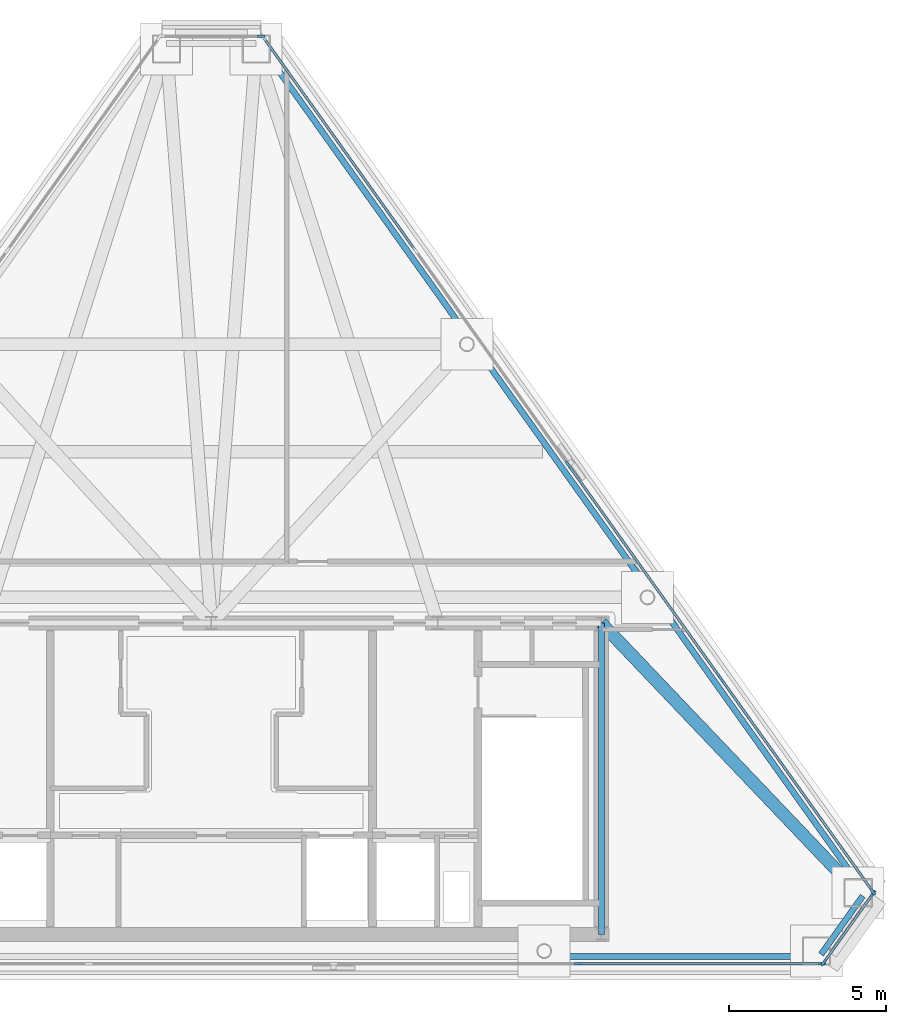
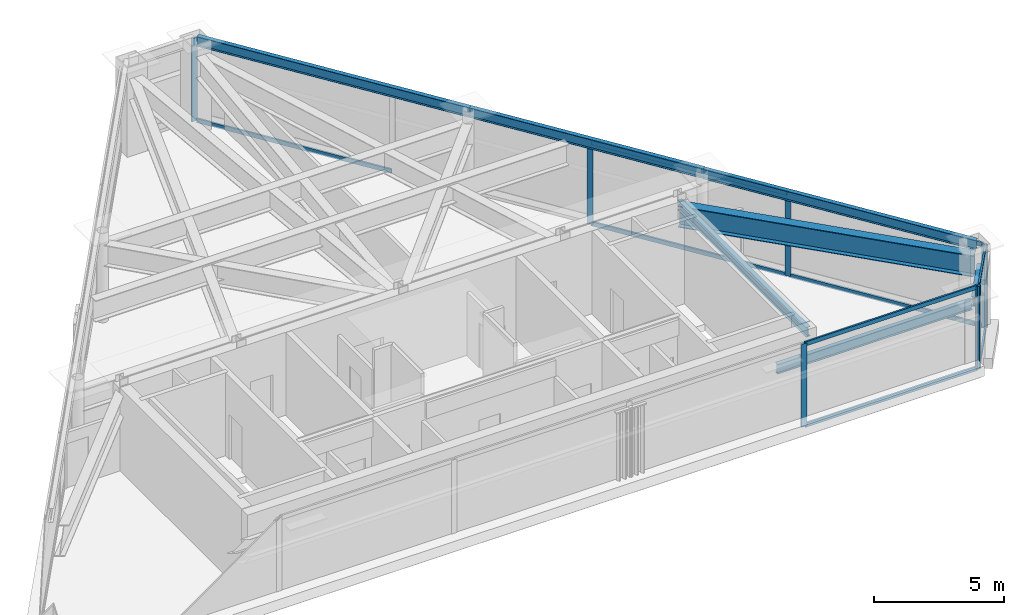
# One storey, part 3 of 7: 18 members, 7 beams, 4 elements without a shape of their own.
"""IFC4 building model written with IfcOpenShell, lengths in metres."""

from ifc_helpers import new_model, si_unit, direction, frame, origin, origin_2d, place, context, subcontext, project, spatial, rectangle, i_section, extrude, material, layer, layer_set, material_profile, profile_set, type_object, element, aggregate, save


model = new_model("IFC4")

# Units and contexts
model_context = context("Model", 3, precision=1e-05, world=origin(), true_north=direction((0.0, 1.0)))
body_context = subcontext(model_context, "Body", "Model", "MODEL_VIEW")
ifc_project = project(units=[si_unit("LENGTHUNIT", "METRE"), si_unit("AREAUNIT", "SQUARE_METRE"), si_unit("VOLUMEUNIT", "CUBIC_METRE"), si_unit("PLANEANGLEUNIT", "RADIAN"), si_unit("MASSUNIT", "GRAM", prefix="KILO")], contexts=[model_context])

# Site, building, storey
site_placement = place(None, origin())
site = spatial("IfcSite", under=ifc_project, at=site_placement, CompositionType="ELEMENT")
building_placement = place(site_placement, origin())
building = spatial("IfcBuilding", under=site, at=building_placement, Name="Talgorran Terracotta Tower", CompositionType="ELEMENT")
storey_placement = place(building_placement, frame((0.0, 0.0, 306.0)))
storey = spatial("IfcBuildingStorey", under=building, at=storey_placement, Name="L80", CompositionType="ELEMENT", Elevation=306.0)

# Beams
ifc_material_1 = material(Name="Steel Grade 350 (350L0)", Category="steel")
ifc_material_profile_1 = material_profile(ifc_material_1, i_section(OverallWidth=0.39990234375, OverallDepth=1.0, WebThickness=0.01611328125, FlangeThickness=0.031005859375, at=origin_2d()), Name="1000WB296")
ifc_profile_set_1 = profile_set([ifc_material_profile_1], Name="Steel Grade 350 (350L0)")
beam_type_1 = type_object("IfcBeamType", Name="BM_1000WB296", PredefinedType="BEAM", material=ifc_profile_set_1)
beam_1_placement = place(storey_placement, frame((12.39990234375, -4.199951171875, 3.14990234375), z_axis=(0.689671131697, -0.724122731382, 0.0), x_axis=(0.724122731382, 0.689671131697, 0.0)))
element("IfcBeam", 1, at=beam_1_placement, inside=storey, type_object=beam_type_1, Name="L80 Observation/Crown Girder OG7", PredefinedType="BEAM", context=body_context, shape_type="SweptSolid", body=[
    extrude(i_section(OverallWidth=0.39990234375, OverallDepth=1.0, WebThickness=0.01611328125, FlangeThickness=0.031005859375, at=origin_2d()), origin(), (0.0, 0.0, 1.0), 11.841552734375),
])
ifc_material_2 = material(Name="Steel S355 (300PLUS)", Category="steel")
ifc_material_profile_2 = material_profile(ifc_material_2, i_section(OverallWidth=0.18994140625, OverallDepth=0.45703125, WebThickness=0.009033203125, FlangeThickness=0.014404296875, at=origin_2d()), Name="460UB74.6")
ifc_profile_set_2 = profile_set([ifc_material_profile_2], Name="Steel S355 (300PLUS)")
beam_type_2 = type_object("IfcBeamType", Name="BM_SP_460UB74", PredefinedType="SPANDREL", material=ifc_profile_set_2)
beam_2_placement = place(storey_placement, frame((10.58349609375, -14.81005859375, 2.96826171875), z_axis=(1.0, 0.0, 0.0), x_axis=(0.0, 1.0, 0.0)))
element("IfcBeam", 2, at=beam_2_placement, inside=storey, type_object=beam_type_2, Name="L80 Perimeter Spandrel Beam FC2-MC3", PredefinedType="SPANDREL", context=body_context, shape_type="SweptSolid", body=[
    extrude(i_section(OverallWidth=0.18994140625, OverallDepth=0.45703125, WebThickness=0.009033203125, FlangeThickness=0.014404296875, at=origin_2d()), origin(), (0.0, 0.0, 1.0), 8.659423828125),
])
beam_3_placement = place(storey_placement, frame((19.389404296875, -14.734619140625, 2.96826171875), z_axis=(0.580772007805, 0.814066259557, 0.0), x_axis=(-0.814066259557, 0.580772007805, 0.0)))
element("IfcBeam", 3, at=beam_3_placement, inside=storey, type_object=beam_type_2, Name="L80 Perimeter Spandrel Beam MC3-MC4", PredefinedType="SPANDREL", context=body_context, shape_type="SweptSolid", body=[
    extrude(i_section(OverallWidth=0.18994140625, OverallDepth=0.45703125, WebThickness=0.009033203125, FlangeThickness=0.014404296875, at=origin_2d()), origin(), (0.0, 0.0, 1.0), 2.279296875),
])
beam_4_placement = place(storey_placement, frame((20.713134765625, -12.670166015625, 3.95458984375), z_axis=(-0.580753577836, 0.81407940757, 0.0), x_axis=(-0.81407940757, -0.580753577836, 0.0)))
element("IfcBeam", 4, at=beam_4_placement, inside=storey, type_object=beam_type_2, Name="L80 Perimeter Spandrel Beam MC4-FC3", PredefinedType="SPANDREL", context=body_context, shape_type="SweptSolid", body=[
    extrude(i_section(OverallWidth=0.18994140625, OverallDepth=0.45703125, WebThickness=0.009033203125, FlangeThickness=0.014404296875, at=origin_2d()), origin(), (0.0, 0.0, 1.0), 11.534912109375),
])
beam_5_placement = place(storey_placement, frame((14.01416015625, -3.27978515625, 3.971435546875), z_axis=(-0.58076625008, 0.814070367209, 0.0), x_axis=(-0.814070367209, -0.58076625008, 0.0)))
element("IfcBeam", 5, at=beam_5_placement, inside=storey, type_object=beam_type_2, Name="L80 Perimeter Spandrel Beam FC3-FC4", PredefinedType="SPANDREL", context=body_context, shape_type="SweptSolid", body=[
    extrude(i_section(OverallWidth=0.18994140625, OverallDepth=0.45703125, WebThickness=0.009033203125, FlangeThickness=0.014404296875, at=origin_2d()), origin(), (0.0, 0.0, 1.0), 9.88671875),
])
beam_6_placement = place(storey_placement, frame((8.272216796875, 4.768798828125, 3.971435546875), z_axis=(-0.580753577836, 0.81407940757, 0.0), x_axis=(-0.81407940757, -0.580753577836, 0.0)))
element("IfcBeam", 6, at=beam_6_placement, inside=storey, type_object=beam_type_2, Name="L80 Perimeter Spandrel Beam FC4-MC5", PredefinedType="SPANDREL", context=body_context, shape_type="SweptSolid", body=[
    extrude(i_section(OverallWidth=0.18994140625, OverallDepth=0.45703125, WebThickness=0.009033203125, FlangeThickness=0.014404296875, at=origin_2d()), origin(), (0.0, 0.0, 1.0), 11.534912109375),
])
beam_7_placement = place(storey_placement, frame((12.39990234375, -14.10009765625, 3.611572265625), z_axis=(0.0, 1.0, 0.0), x_axis=(-1.0, 0.0, 0.0)))
element("IfcBeam", 7, at=beam_7_placement, inside=storey, type_object=beam_type_2, Name="L80 Core Frame Beam CFE", PredefinedType="SPANDREL", context=body_context, shape_type="SweptSolid", body=[
    extrude(i_section(OverallWidth=0.18994140625, OverallDepth=0.45703125, WebThickness=0.009033203125, FlangeThickness=0.014404296875, at=origin_2d()), origin(), (0.0, 0.0, 1.0), 9.900146484375),
])

# Curtain wall, members
ifc_material_3 = material(Name="Faceted Crown Terracotta Glass", Category="masonry")
ifc_layer = layer(ifc_material_3, 0.22998046875, Name="CW_SYS6_CROWN")
ifc_layer_set = layer_set([ifc_layer], Name="Faceted Crown Terracotta Glass")
curtain_wall_type = type_object("IfcCurtainWallType", Name="CW_SYS6_CROWN", PredefinedType="NOTDEFINED", material=ifc_layer_set)
curtain_wall_1_placement = place(storey_placement, origin())
curtain_wall_1 = element("IfcCurtainWall", 8, at=curtain_wall_1_placement, inside=storey, type_object=curtain_wall_type, Name="CW-L80-F1", PredefinedType="NOTDEFINED")
ifc_material_4 = material(Name="Architectural Aluminium 6063-T6", Category="aluminium")
ifc_material_profile_3 = material_profile(ifc_material_4, rectangle(XDim=0.080078125, YDim=0.239990234375, at=origin_2d()), Name="CWM80X240")
ifc_profile_set_3 = profile_set([ifc_material_profile_3], Name="Architectural Aluminium 6063-T6")
member_type_1 = type_object("IfcMemberType", Name="MUL_80X240", PredefinedType="MULLION", material=ifc_profile_set_3)
member_1_placement = place(storey_placement, frame((11.66943359375, -15.030029296875, 0.0), z_axis=(0.0, 0.0, 1.0), x_axis=(0.0, 1.0, 0.0)))
member_1 = element("IfcMember", 9, at=member_1_placement, type_object=member_type_1, Name="CW-L80-1 mullion 5", PredefinedType="MULLION", context=body_context, shape_type="SweptSolid", body=[
    extrude(rectangle(XDim=0.080078125, YDim=0.239990234375, at=origin_2d()), origin(), (0.0, 0.0, 1.0), 3.89990234375),
])
member_2_placement = place(storey_placement, frame((19.408935546875, -15.030029296875, 0.0), z_axis=(0.0, 0.0, 1.0), x_axis=(0.0, 1.0, 0.0)))
member_2 = element("IfcMember", 10, at=member_2_placement, type_object=member_type_1, Name="CW-L80-1 mullion 6", PredefinedType="MULLION", context=body_context, shape_type="SweptSolid", body=[
    extrude(rectangle(XDim=0.080078125, YDim=0.239990234375, at=origin_2d()), origin(), (0.0, 0.0, 1.0), 3.89990234375),
])

curtain_wall_2_placement = place(storey_placement, origin())
curtain_wall_2 = element("IfcCurtainWall", 11, at=curtain_wall_2_placement, inside=storey, type_object=curtain_wall_type, Name="CW-L80-F2", PredefinedType="NOTDEFINED")
member_3_placement = place(storey_placement, frame((19.47216796875, -14.99755859375, 0.0), z_axis=(0.0, 0.0, 1.0), x_axis=(-0.814074765018, 0.580760085543, 0.0)))
member_3 = element("IfcMember", 12, at=member_3_placement, type_object=member_type_1, Name="CW-L80-2 mullion 1", PredefinedType="MULLION", context=body_context, shape_type="SweptSolid", body=[
    extrude(rectangle(XDim=0.080078125, YDim=0.239990234375, at=origin_2d()), origin(), (0.0, 0.0, 1.0), 3.89990234375),
])
member_4_placement = place(storey_placement, frame((21.03466796875, -12.80712890625, 0.0), z_axis=(0.0, 0.0, 1.0), x_axis=(-0.814074765018, 0.580760085543, 0.0)))
member_4 = element("IfcMember", 13, at=member_4_placement, type_object=member_type_1, Name="CW-L80-2 mullion 2", PredefinedType="MULLION", context=body_context, shape_type="SweptSolid", body=[
    extrude(rectangle(XDim=0.080078125, YDim=0.239990234375, at=origin_2d()), origin(), (0.0, 0.0, 1.0), 3.89990234375),
])

curtain_wall_3_placement = place(storey_placement, origin())
curtain_wall_3 = element("IfcCurtainWall", 14, at=curtain_wall_3_placement, inside=storey, type_object=curtain_wall_type, Name="CW-L80-F3", PredefinedType="NOTDEFINED")
member_5_placement = place(storey_placement, frame((21.03466796875, -12.741943359375, 0.0), z_axis=(0.0, 0.0, 1.0), x_axis=(-0.814075935218, -0.580758445224, 0.0)))
member_5 = element("IfcMember", 15, at=member_5_placement, type_object=member_type_1, Name="CW-L80-3 mullion 1", PredefinedType="MULLION", context=body_context, shape_type="SweptSolid", body=[
    extrude(rectangle(XDim=0.080078125, YDim=0.239990234375, at=origin_2d()), origin(), (0.0, 0.0, 1.0), 3.89990234375),
])
member_6_placement = place(storey_placement, frame((16.20166015625, -5.96728515625, 0.0), z_axis=(0.0, 0.0, 1.0), x_axis=(-0.814075935218, -0.580758445224, 0.0)))
member_6 = element("IfcMember", 16, at=member_6_placement, type_object=member_type_1, Name="CW-L80-3 mullion 2", PredefinedType="MULLION", context=body_context, shape_type="SweptSolid", body=[
    extrude(rectangle(XDim=0.080078125, YDim=0.239990234375, at=origin_2d()), origin(), (0.0, 0.0, 1.0), 3.89990234375),
])
member_7_placement = place(storey_placement, frame((11.345458984375, 0.840087890625, 0.0), z_axis=(0.0, 0.0, 1.0), x_axis=(-0.814075935218, -0.580758445224, 0.0)))
member_7 = element("IfcMember", 17, at=member_7_placement, type_object=member_type_1, Name="CW-L80-3 mullion 3", PredefinedType="MULLION", context=body_context, shape_type="SweptSolid", body=[
    extrude(rectangle(XDim=0.080078125, YDim=0.239990234375, at=origin_2d()), origin(), (0.0, 0.0, 1.0), 3.89990234375),
])

# Curtain wall, member
curtain_wall_4_placement = place(storey_placement, origin())
curtain_wall_4 = element("IfcCurtainWall", 18, at=curtain_wall_4_placement, inside=storey, type_object=curtain_wall_type, Name="CW-L80-F4", PredefinedType="NOTDEFINED")
member_8_placement = place(storey_placement, frame((1.5927734375, 14.45458984375, 0.0), z_axis=(0.0, 0.0, 1.0), x_axis=(0.0, -1.0, 0.0)))
member_8 = element("IfcMember", 19, at=member_8_placement, type_object=member_type_1, Name="CW-L80-4 mullion 1", PredefinedType="MULLION", context=body_context, shape_type="SweptSolid", body=[
    extrude(rectangle(XDim=0.080078125, YDim=0.239990234375, at=origin_2d()), origin(), (0.0, 0.0, 1.0), 3.89990234375),
])
aggregate(curtain_wall_4, [member_8])

# Member
ifc_material_profile_4 = material_profile(ifc_material_4, rectangle(XDim=0.080078125, YDim=0.195068359375, at=origin_2d()), Name="CWT80X195")
ifc_profile_set_4 = profile_set([ifc_material_profile_4], Name="Architectural Aluminium 6063-T6")
member_type_2 = type_object("IfcMemberType", Name="TRN_80X195", PredefinedType="USERDEFINED", material=ifc_profile_set_4)
member_9_placement = place(storey_placement, frame((11.70947265625, -15.030029296875, 0.0400390625), z_axis=(1.0, 0.0, 0.0), x_axis=(0.0, 1.0, 0.0)))
member_9 = element("IfcMember", 20, at=member_9_placement, type_object=member_type_2, Name="CW-L80-1 transom 5.1", ObjectType="TRANSOM", PredefinedType="USERDEFINED", context=body_context, shape_type="SweptSolid", body=[
    extrude(rectangle(XDim=0.080078125, YDim=0.195068359375, at=origin_2d()), origin(), (0.0, 0.0, 1.0), 7.659423828125),
])

member_10_placement = place(storey_placement, frame((11.70947265625, -15.030029296875, 3.860107421875), z_axis=(1.0, 0.0, 0.0), x_axis=(0.0, 1.0, 0.0)))
member_10 = element("IfcMember", 21, at=member_10_placement, type_object=member_type_2, Name="CW-L80-1 transom 5.2", ObjectType="TRANSOM", PredefinedType="USERDEFINED", context=body_context, shape_type="SweptSolid", body=[
    extrude(rectangle(XDim=0.080078125, YDim=0.195068359375, at=origin_2d()), origin(), (0.0, 0.0, 1.0), 7.659423828125),
])

aggregate(curtain_wall_1, [member_1, member_2, member_9, member_10])

member_11_placement = place(storey_placement, frame((19.495361328125, -14.96484375, 0.0400390625), z_axis=(0.580795755672, 0.814049316807, 0.0), x_axis=(-0.814049316807, 0.580795755672, 0.0)))
member_11 = element("IfcMember", 22, at=member_11_placement, type_object=member_type_2, Name="CW-L80-2 transom 1.1", ObjectType="TRANSOM", PredefinedType="USERDEFINED", context=body_context, shape_type="SweptSolid", body=[
    extrude(rectangle(XDim=0.080078125, YDim=0.195068359375, at=origin_2d()), origin(), (0.0, 0.0, 1.0), 2.6103515625),
])

member_12_placement = place(storey_placement, frame((19.495361328125, -14.96484375, 3.860107421875), z_axis=(0.580795755672, 0.814049316807, 0.0), x_axis=(-0.814049316807, 0.580795755672, 0.0)))
member_12 = element("IfcMember", 23, at=member_12_placement, type_object=member_type_2, Name="CW-L80-2 transom 1.2", ObjectType="TRANSOM", PredefinedType="USERDEFINED", context=body_context, shape_type="SweptSolid", body=[
    extrude(rectangle(XDim=0.080078125, YDim=0.195068359375, at=origin_2d()), origin(), (0.0, 0.0, 1.0), 2.6103515625),
])

aggregate(curtain_wall_2, [member_3, member_4, member_11, member_12])

member_13_placement = place(storey_placement, frame((21.011474609375, -12.70947265625, 0.0400390625), z_axis=(-0.580753343572, 0.814079574691, 0.0), x_axis=(-0.814079574691, -0.580753343572, 0.0)))
member_13 = element("IfcMember", 24, at=member_13_placement, type_object=member_type_2, Name="CW-L80-3 transom 1.1", ObjectType="TRANSOM", PredefinedType="USERDEFINED", context=body_context, shape_type="SweptSolid", body=[
    extrude(rectangle(XDim=0.080078125, YDim=0.195068359375, at=origin_2d()), origin(), (0.0, 0.0, 1.0), 8.2421875),
])

member_14_placement = place(storey_placement, frame((21.011474609375, -12.70947265625, 3.860107421875), z_axis=(-0.580753343572, 0.814079574691, 0.0), x_axis=(-0.814079574691, -0.580753343572, 0.0)))
member_14 = element("IfcMember", 25, at=member_14_placement, type_object=member_type_2, Name="CW-L80-3 transom 1.2", ObjectType="TRANSOM", PredefinedType="USERDEFINED", context=body_context, shape_type="SweptSolid", body=[
    extrude(rectangle(XDim=0.080078125, YDim=0.195068359375, at=origin_2d()), origin(), (0.0, 0.0, 1.0), 8.2421875),
])

member_15_placement = place(storey_placement, frame((16.178466796875, -5.934814453125, 0.0400390625), z_axis=(-0.580755680117, 0.814077907827, 0.0), x_axis=(-0.814077907827, -0.580755680117, 0.0)))
member_15 = element("IfcMember", 26, at=member_15_placement, type_object=member_type_2, Name="CW-L80-3 transom 2.1", ObjectType="TRANSOM", PredefinedType="USERDEFINED", context=body_context, shape_type="SweptSolid", body=[
    extrude(rectangle(XDim=0.080078125, YDim=0.195068359375, at=origin_2d()), origin(), (0.0, 0.0, 1.0), 8.281982421875),
])

member_16_placement = place(storey_placement, frame((16.178466796875, -5.934814453125, 3.860107421875), z_axis=(-0.580755680117, 0.814077907827, 0.0), x_axis=(-0.814077907827, -0.580755680117, 0.0)))
member_16 = element("IfcMember", 27, at=member_16_placement, type_object=member_type_2, Name="CW-L80-3 transom 2.2", ObjectType="TRANSOM", PredefinedType="USERDEFINED", context=body_context, shape_type="SweptSolid", body=[
    extrude(rectangle(XDim=0.080078125, YDim=0.195068359375, at=origin_2d()), origin(), (0.0, 0.0, 1.0), 8.281982421875),
])

member_17_placement = place(storey_placement, frame((6.4658203125, 7.679931640625, 0.0400390625), z_axis=(-0.580767348121, 0.814069583854, 0.0), x_axis=(-0.814069583854, -0.580767348121, 0.0)))
member_17 = element("IfcMember", 28, at=member_17_placement, type_object=member_type_2, Name="CW-L80-3 transom 4.1", ObjectType="TRANSOM", PredefinedType="USERDEFINED", context=body_context, shape_type="SweptSolid", body=[
    extrude(rectangle(XDim=0.080078125, YDim=0.195068359375, at=origin_2d()), origin(), (0.0, 0.0, 1.0), 8.241943359375),
])

member_18_placement = place(storey_placement, frame((6.4658203125, 7.679931640625, 3.860107421875), z_axis=(-0.580767348121, 0.814069583854, 0.0), x_axis=(-0.814069583854, -0.580767348121, 0.0)))
member_18 = element("IfcMember", 29, at=member_18_placement, type_object=member_type_2, Name="CW-L80-3 transom 4.2", ObjectType="TRANSOM", PredefinedType="USERDEFINED", context=body_context, shape_type="SweptSolid", body=[
    extrude(rectangle(XDim=0.080078125, YDim=0.195068359375, at=origin_2d()), origin(), (0.0, 0.0, 1.0), 8.241943359375),
])

aggregate(curtain_wall_3, [member_5, member_6, member_7, member_13, member_14, member_15, member_16, member_17, member_18])

save(model, "model.ifc")
